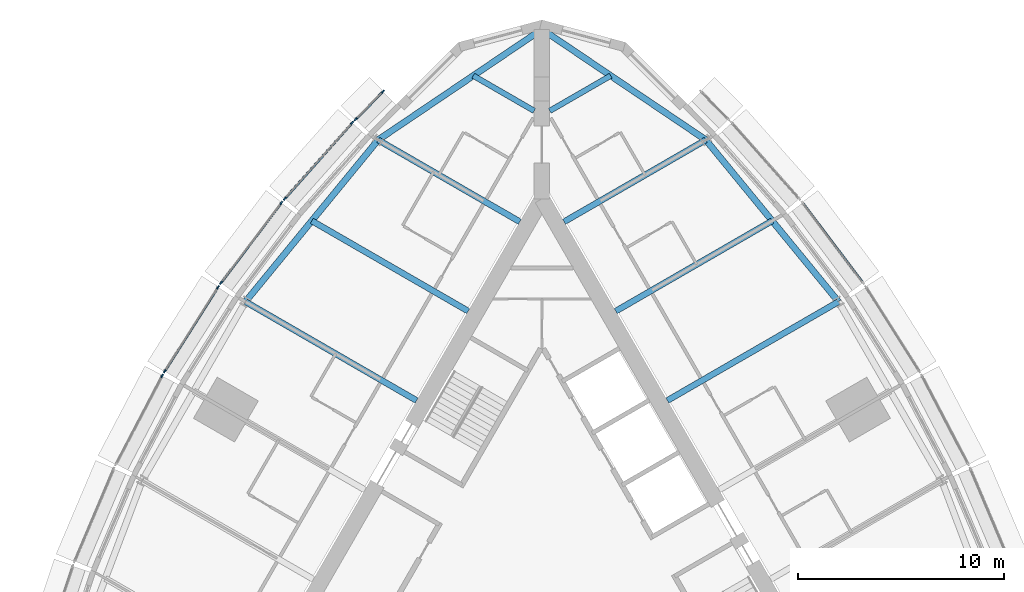
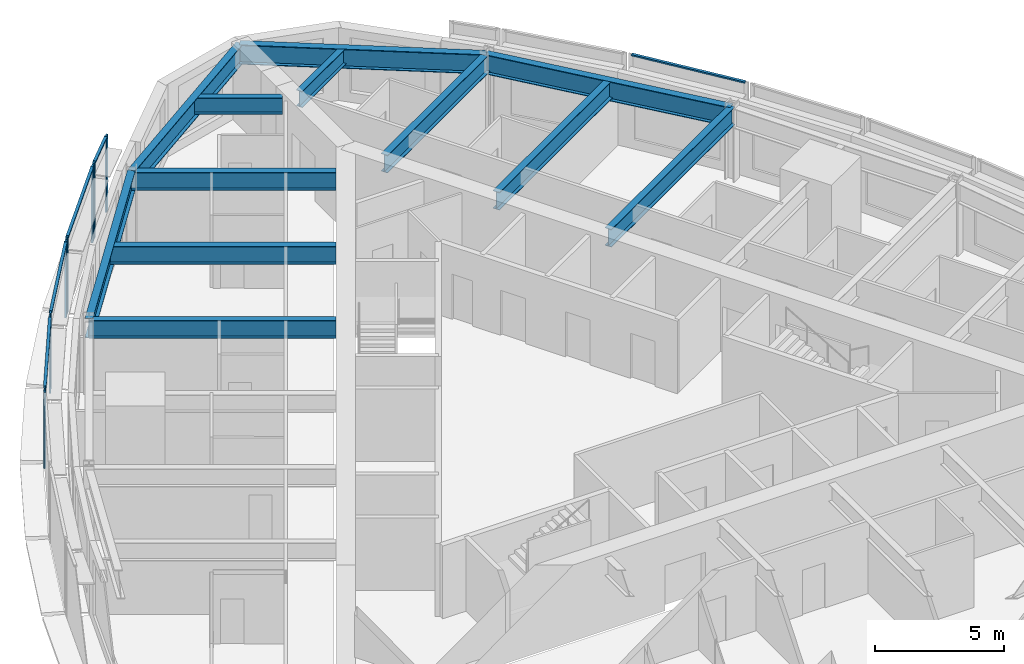
# One storey, part 5 of 15: 14 members, 12 beams, 6 elements without a shape of their own.
"""IFC4 building model written with IfcOpenShell, lengths in metres."""

import ifcopenshell
import ifcopenshell.guid

model = None  # the IFC model being written
_history = None  # IfcOwnerHistory: only IFC2X3 demands one
_inside = {}  # id of a spatial element -> (the spatial element, [elements in it])
_under = {}  # id of a project, library or spatial element -> (it, [spatial elements below it])
_declared = {}  # id of a project -> (the project, [libraries it declares])
_typed = {}  # id of a type object -> (the type object, [elements of that type])
_made_of = {}  # id of a material, layer set ... -> (it, [elements and type objects made of it])


def new_model(schema):
    """Start an empty IFC model of exactly this schema.

    Asked for "IFC4X3", IfcOpenShell would pick the latest addendum, in which some entities
    have other attributes; the version numbers below select the first issue.
    IFC2X3 requires an IfcOwnerHistory on every rooted entity: one is made here for all.
    """
    global model, _history
    if schema == "IFC4X3":
        model = ifcopenshell.file(schema_version=(4, 3, 0, 0))
    else:
        model = ifcopenshell.file(schema=schema)
    _inside.clear()
    _under.clear()
    _declared.clear()
    _typed.clear()
    _made_of.clear()
    _history = None
    if model.schema == "IFC2X3":
        org = make("IfcOrganization", Name="unknown")
        user = make(
            "IfcPersonAndOrganization",
            ThePerson=make("IfcPerson", FamilyName="unknown"),
            TheOrganization=org,
        )
        app = make(
            "IfcApplication",
            ApplicationDeveloper=org,
            Version="unknown",
            ApplicationFullName="unknown",
            ApplicationIdentifier="unknown",
        )
        _history = make(
            "IfcOwnerHistory",
            OwningUser=user,
            OwningApplication=app,
            ChangeAction="ADDED",
            CreationDate=0,
        )
    return model


def make(cls, **values):
    """One entity of the class cls with the attributes given. An attribute that is None is left unset."""
    return model.create_entity(
        cls, **{name: value for name, value in values.items() if value is not None}
    )


def rooted(cls, **values):
    """An entity with a GlobalId (a new one), such as an element, a storey or a relation."""
    return make(cls, GlobalId=ifcopenshell.guid.new(), OwnerHistory=_history, **values)


def si_unit(unit_type, name, prefix=None):
    """IfcSIUnit, for example si_unit("LENGTHUNIT", "METRE", prefix="MILLI")."""
    return make("IfcSIUnit", UnitType=unit_type, Prefix=prefix, Name=name)


def assignment(units):
    """IfcUnitAssignment: the units of a project."""
    return None if units is None else make("IfcUnitAssignment", Units=units)


def point(xyz):
    """IfcCartesianPoint."""
    return None if xyz is None else make("IfcCartesianPoint", Coordinates=xyz)


def direction(xyz):
    """IfcDirection."""
    return None if xyz is None else make("IfcDirection", DirectionRatios=xyz)


def frame(location, z_axis=None, x_axis=None):
    """IfcAxis2Placement3D, a coordinate frame: its origin and axes. An axis left out is left unset."""
    return make(
        "IfcAxis2Placement3D",
        Location=point(location),
        Axis=direction(z_axis),
        RefDirection=direction(x_axis),
    )


def frame_2d(location, x_axis=None):
    """IfcAxis2Placement2D, a coordinate frame in the plane: its origin and x axis."""
    return make(
        "IfcAxis2Placement2D", Location=point(location), RefDirection=direction(x_axis)
    )


def origin():
    """The frame at (0, 0, 0) with its axes left unset."""
    return frame((0.0, 0.0, 0.0))


def origin_2d():
    """The frame at (0, 0) in the plane with its x axis left unset."""
    return frame_2d((0.0, 0.0))


def place(relative_to, where):
    """IfcLocalPlacement: puts the frame where relative to a parent placement (None: the world)."""
    return make(
        "IfcLocalPlacement", PlacementRelTo=relative_to, RelativePlacement=where
    )


def context(
    kind, dimensions, precision=None, world=None, true_north=None, identifier=None
):
    """IfcGeometricRepresentationContext, for example the 3D "Model" context."""
    return make(
        "IfcGeometricRepresentationContext",
        ContextIdentifier=identifier,
        ContextType=kind,
        CoordinateSpaceDimension=dimensions,
        Precision=precision,
        WorldCoordinateSystem=world,
        TrueNorth=true_north,
    )


def subcontext(parent, identifier, kind, view, scale=None):
    """IfcGeometricRepresentationSubContext, for example "Body" below "Model"."""
    return make(
        "IfcGeometricRepresentationSubContext",
        ContextIdentifier=identifier,
        ContextType=kind,
        ParentContext=parent,
        TargetScale=scale,
        TargetView=view,
    )


def project(units=None, contexts=None):
    """IfcProject with its units and contexts."""
    return rooted(
        "IfcProject",
        Name="project",
        RepresentationContexts=contexts,
        UnitsInContext=assignment(units),
    )


def spatial(cls, under=None, at=None, **own):
    """A site, building, storey or space (cls), placed at a placement, below another one or the project."""
    s = rooted(cls, ObjectPlacement=at, **own)
    if under is not None:
        _under.setdefault(under.id(), (under, []))[1].append(s)
    return s


def profile(cls, at=None, kind="AREA", **sizes):
    """A parametric profile (cls). Its sizes go by their IFC names, for example OverallWidth=200.0."""
    return make(cls, ProfileType=kind, Position=at, **sizes)


def rectangle(**sizes):
    """IfcRectangleProfileDef."""
    return profile("IfcRectangleProfileDef", **sizes)


def i_section(**sizes):
    """IfcIShapeProfileDef."""
    return profile("IfcIShapeProfileDef", **sizes)


def extrude(swept, where, along, depth):
    """IfcExtrudedAreaSolid: the profile swept, set in the frame where, extruded along a direction by depth."""
    return make(
        "IfcExtrudedAreaSolid",
        SweptArea=swept,
        Position=where,
        ExtrudedDirection=direction(along),
        Depth=depth,
    )


def shape(context_of_items, identifier, shape_type, items):
    """IfcShapeRepresentation: the items that make up one representation, for example the "Body"."""
    return make(
        "IfcShapeRepresentation",
        ContextOfItems=context_of_items,
        RepresentationIdentifier=identifier,
        RepresentationType=shape_type,
        Items=items,
    )


def material(Name=None, Category=None):
    """IfcMaterial."""
    return make("IfcMaterial", Name=Name, Category=Category)


def material_profile(
    of_material, cross_section, Name=None, Category=None, Priority=None
):
    """IfcMaterialProfile: a cross section and its material."""
    return make(
        "IfcMaterialProfile",
        Name=Name,
        Material=of_material,
        Profile=cross_section,
        Priority=Priority,
        Category=Category,
    )


def profile_set(profiles, Name=None, composite=None):
    """IfcMaterialProfileSet."""
    return make(
        "IfcMaterialProfileSet",
        Name=Name,
        MaterialProfiles=profiles,
        CompositeProfile=composite,
    )


def made_of(thing, what):
    """Note that an element or type object is made of a material, layer set ...; save() writes the relation."""
    if what is not None:
        _made_of.setdefault(what.id(), (what, []))[1].append(thing)
    return thing


def type_object(cls, material=None, **own):
    """A type object (cls), such as IfcWallType, which elements share."""
    return made_of(rooted(cls, **own), material)


def element(
    cls,
    number,
    at=None,
    inside=None,
    cuts=None,
    type_object=None,
    material=None,
    context=None,
    identifier="Body",
    shape_type=None,
    held_by="IfcProductDefinitionShape",
    body=None,
    shapes=None,
    **own,
):
    """One element of the class cls, such as IfcWall. Its Tag is "e" and its number.

    at: its placement. inside: the storey or other place that contains it. cuts: it is an
    opening in that element (IfcRelVoidsElement). A single representation is given by context,
    identifier, shape_type and body (its items); several are given by shapes. held_by: the class
    of the entity that holds the representations. save() writes the other relations.
    """
    e = rooted(cls, Tag="e%d" % number, ObjectPlacement=at, **own)
    if body is not None:
        shapes = [shape(context, identifier, shape_type, body)]
    if shapes is not None:
        e.Representation = make(held_by, Representations=shapes)
    if inside is not None:
        _inside.setdefault(inside.id(), (inside, []))[1].append(e)
    if cuts is not None:
        rooted(
            "IfcRelVoidsElement", RelatingBuildingElement=cuts, RelatedOpeningElement=e
        )
    if type_object is not None:
        _typed.setdefault(type_object.id(), (type_object, []))[1].append(e)
    return made_of(e, material)


def aggregate(whole, parts):
    """IfcRelAggregates: a whole, such as a stair, and the parts it consists of."""
    return rooted("IfcRelAggregates", RelatingObject=whole, RelatedObjects=parts)


def save(model, path):
    """Write the relations noted so far, then the file.

    IfcRelAggregates (storeys below a building ...), IfcRelContainedInSpatialStructure (elements
    in a storey), IfcRelDefinesByType, IfcRelAssociatesMaterial and IfcRelDeclares: one each for
    every whole, place, type object, material and project.
    """
    for whole, parts in _under.values():
        aggregate(whole, parts)
    for where, things in _inside.values():
        rooted(
            "IfcRelContainedInSpatialStructure",
            RelatedElements=things,
            RelatingStructure=where,
        )
    for kind, things in _typed.values():
        rooted("IfcRelDefinesByType", RelatedObjects=things, RelatingType=kind)
    for what, things in _made_of.values():
        rooted("IfcRelAssociatesMaterial", RelatedObjects=things, RelatingMaterial=what)
    for by, libraries in _declared.values():
        rooted("IfcRelDeclares", RelatingContext=by, RelatedDefinitions=libraries)
    model.write(path)


model = new_model("IFC4")

# Units and contexts
model_context = context("Model", 3, precision=1e-05, world=origin(), true_north=direction((0.0, 1.0)))
body_context = subcontext(model_context, "Body", "Model", "MODEL_VIEW")
ifc_project = project(units=[si_unit("LENGTHUNIT", "METRE"), si_unit("AREAUNIT", "SQUARE_METRE"), si_unit("VOLUMEUNIT", "CUBIC_METRE"), si_unit("PLANEANGLEUNIT", "RADIAN"), si_unit("MASSUNIT", "GRAM", prefix="KILO")], contexts=[model_context])

# Site, building, storey
site_placement = place(None, origin())
site = spatial("IfcSite", under=ifc_project, at=site_placement, CompositionType="ELEMENT")
building_placement = place(site_placement, origin())
building = spatial("IfcBuilding", under=site, at=building_placement, Name="Trikona Tower", CompositionType="ELEMENT")
storey_placement = place(building_placement, frame((0.0, 0.0, 204.5)))
storey = spatial("IfcBuildingStorey", under=building, at=storey_placement, Name="L54", CompositionType="ELEMENT", Elevation=204.5)

# Curtain wall, members
ifc_material_1 = material(Name="Aluminium curtain wall system", Category="aluminium")
curtain_wall_type = type_object("IfcCurtainWallType", Name="Curtain wall DS3", PredefinedType="NOTDEFINED", material=ifc_material_1)
curtain_wall_1_placement = place(storey_placement, origin())
curtain_wall_1 = element("IfcCurtainWall", 1, at=curtain_wall_1_placement, inside=storey, type_object=curtain_wall_type, Name="Curtain wall DS3 L54", PredefinedType="NOTDEFINED")
ifc_material_2 = material(Name="Aluminium mullion, pale anodised", Category="aluminium")
ifc_material_profile_1 = material_profile(ifc_material_2, rectangle(XDim=0.070068359375, YDim=0.179931640625, at=origin_2d()), Name="MUL-DS3")
ifc_profile_set_1 = profile_set([ifc_material_profile_1], Name="Aluminium mullion, pale anodised")
member_type_1 = type_object("IfcMemberType", Name="Mullion DS3 70x180", PredefinedType="MULLION", material=ifc_profile_set_1)
member_1_placement = place(storey_placement, frame((-7.7060546875, 24.237548828125, 0.0), z_axis=(0.0, 0.0, 1.0), x_axis=(0.710051900554, -0.704149343903, 0.0)))
member_1 = element("IfcMember", 2, at=member_1_placement, type_object=member_type_1, Name="CW-DS3 mullion 1", PredefinedType="MULLION", context=body_context, shape_type="SweptSolid", body=[
    extrude(rectangle(XDim=0.070068359375, YDim=0.179931640625, at=origin_2d()), origin(), (0.0, 0.0, 1.0), 3.60009765625),
])
member_2_placement = place(storey_placement, frame((-9.028564453125, 22.904052734375, 0.0), z_axis=(0.0, 0.0, 1.0), x_axis=(0.710051900554, -0.704149343903, 0.0)))
member_2 = element("IfcMember", 3, at=member_2_placement, type_object=member_type_1, Name="CW-DS3 mullion 2", PredefinedType="MULLION", context=body_context, shape_type="SweptSolid", body=[
    extrude(rectangle(XDim=0.070068359375, YDim=0.179931640625, at=origin_2d()), origin(), (0.0, 0.0, 1.0), 3.60009765625),
])

curtain_wall_2_placement = place(storey_placement, origin())
curtain_wall_2 = element("IfcCurtainWall", 4, at=curtain_wall_2_placement, inside=storey, type_object=curtain_wall_type, Name="Curtain wall DS3 L54", PredefinedType="NOTDEFINED")
member_3_placement = place(storey_placement, frame((-9.192138671875, 22.729736328125, 0.0), z_axis=(0.0, 0.0, 1.0), x_axis=(0.747402677853, -0.664371309689, 0.0)))
member_3 = element("IfcMember", 5, at=member_3_placement, type_object=member_type_1, Name="CW-DS3 mullion 1", PredefinedType="MULLION", context=body_context, shape_type="SweptSolid", body=[
    extrude(rectangle(XDim=0.070068359375, YDim=0.179931640625, at=origin_2d()), origin(), (0.0, 0.0, 1.0), 3.60009765625),
])
member_4_placement = place(storey_placement, frame((-12.45751953125, 19.056396484375, 0.0), z_axis=(0.0, 0.0, 1.0), x_axis=(0.747402677853, -0.664371309689, 0.0)))
member_4 = element("IfcMember", 6, at=member_4_placement, type_object=member_type_1, Name="CW-DS3 mullion 2", PredefinedType="MULLION", context=body_context, shape_type="SweptSolid", body=[
    extrude(rectangle(XDim=0.070068359375, YDim=0.179931640625, at=origin_2d()), origin(), (0.0, 0.0, 1.0), 3.60009765625),
])

curtain_wall_3_placement = place(storey_placement, origin())
curtain_wall_3 = element("IfcCurtainWall", 7, at=curtain_wall_3_placement, inside=storey, type_object=curtain_wall_type, Name="Curtain wall DS3 L54", PredefinedType="NOTDEFINED")
member_5_placement = place(storey_placement, frame((-12.62353515625, 18.853759765625, 0.0), z_axis=(0.0, 0.0, 1.0), x_axis=(0.798193208724, -0.602401528506, 0.0)))
member_5 = element("IfcMember", 8, at=member_5_placement, type_object=member_type_1, Name="CW-DS3 mullion 1", PredefinedType="MULLION", context=body_context, shape_type="SweptSolid", body=[
    extrude(rectangle(XDim=0.070068359375, YDim=0.179931640625, at=origin_2d()), origin(), (0.0, 0.0, 1.0), 3.60009765625),
])
member_6_placement = place(storey_placement, frame((-15.5439453125, 14.984130859375, 0.0), z_axis=(0.0, 0.0, 1.0), x_axis=(0.798193208724, -0.602401528506, 0.0)))
member_6 = element("IfcMember", 9, at=member_6_placement, type_object=member_type_1, Name="CW-DS3 mullion 2", PredefinedType="MULLION", context=body_context, shape_type="SweptSolid", body=[
    extrude(rectangle(XDim=0.070068359375, YDim=0.179931640625, at=origin_2d()), origin(), (0.0, 0.0, 1.0), 3.60009765625),
])

curtain_wall_4_placement = place(storey_placement, origin())
curtain_wall_4 = element("IfcCurtainWall", 10, at=curtain_wall_4_placement, inside=storey, type_object=curtain_wall_type, Name="Curtain wall DS3 L54", PredefinedType="NOTDEFINED")
member_7_placement = place(storey_placement, frame((-15.69384765625, 14.767578125, 0.0), z_axis=(0.0, 0.0, 1.0), x_axis=(0.844727131858, -0.535197227854, 0.0)))
member_7 = element("IfcMember", 11, at=member_7_placement, type_object=member_type_1, Name="CW-DS3 mullion 1", PredefinedType="MULLION", context=body_context, shape_type="SweptSolid", body=[
    extrude(rectangle(XDim=0.070068359375, YDim=0.179931640625, at=origin_2d()), origin(), (0.0, 0.0, 1.0), 3.60009765625),
])
member_8_placement = place(storey_placement, frame((-18.2705078125, 10.700927734375, 0.0), z_axis=(0.0, 0.0, 1.0), x_axis=(0.844727131858, -0.535197227854, 0.0)))
member_8 = element("IfcMember", 12, at=member_8_placement, type_object=member_type_1, Name="CW-DS3 mullion 2", PredefinedType="MULLION", context=body_context, shape_type="SweptSolid", body=[
    extrude(rectangle(XDim=0.070068359375, YDim=0.179931640625, at=origin_2d()), origin(), (0.0, 0.0, 1.0), 3.60009765625),
])

# Curtain wall, member
curtain_wall_5_placement = place(storey_placement, origin())
curtain_wall_5 = element("IfcCurtainWall", 13, at=curtain_wall_5_placement, inside=storey, type_object=curtain_wall_type, Name="Curtain wall DS3 L54", PredefinedType="NOTDEFINED")
member_9_placement = place(storey_placement, frame((-18.40234375, 10.472412109375, 0.0), z_axis=(0.0, 0.0, 1.0), x_axis=(0.885862390527, -0.463948084434, 0.0)))
member_9 = element("IfcMember", 14, at=member_9_placement, type_object=member_type_1, Name="CW-DS3 mullion 1", PredefinedType="MULLION", context=body_context, shape_type="SweptSolid", body=[
    extrude(rectangle(XDim=0.070068359375, YDim=0.179931640625, at=origin_2d()), origin(), (0.0, 0.0, 1.0), 3.60009765625),
])
aggregate(curtain_wall_5, [member_9])

# Beams
ifc_material_3 = material(Name="Steel ASTM A992 Grade 50", Category="steel")
ifc_material_profile_2 = material_profile(ifc_material_3, i_section(OverallWidth=0.2666015625, OverallDepth=0.76953125, WebThickness=0.015625, FlangeThickness=0.025390625, at=origin_2d()), Name="W30X132")
ifc_profile_set_2 = profile_set([ifc_material_profile_2], Name="Steel ASTM A992 Grade 50")
beam_type_1 = type_object("IfcBeamType", Name="Steel beam W30x132 (wedge)", PredefinedType="BEAM", material=ifc_profile_set_2)
for number, where, z_axis, x_axis, name in (
    (15, (0.375, 23.310546875, 3.05029296875), (0.866027000698, 0.499997234054, 0.0), (-0.499997234054, 0.866027000698, 0.0), "Floor beam L55 F2 u20"),
    (16, (-0.375, 23.310546875, 3.05029296875), (-0.866027000698, 0.499997234054, 0.0), (-0.499997234054, -0.866027000698, 0.0), "Floor beam L55 F3 u-20"),
):
    element("IfcBeam", number, at=place(storey_placement, frame(where, z_axis=z_axis, x_axis=x_axis)), inside=storey, type_object=beam_type_1, Name=name, PredefinedType="BEAM", context=body_context, shape_type="SweptSolid", body=[
        extrude(i_section(OverallWidth=0.2666015625, OverallDepth=0.76953125, WebThickness=0.015625, FlangeThickness=0.025390625, at=origin_2d()), origin(), (0.0, 0.0, 1.0), 3.40966796875),
    ])
ifc_material_4 = material(Name="Steel ASTM A992 Grade 50", Category="steel")
ifc_material_profile_3 = material_profile(ifc_material_4, i_section(OverallWidth=0.2919921875, OverallDepth=0.845703125, WebThickness=0.015380859375, FlangeThickness=0.0244140625, at=origin_2d()), Name="W33X141")
ifc_profile_set_3 = profile_set([ifc_material_profile_3], Name="Steel ASTM A992 Grade 50")
beam_type_2 = type_object("IfcBeamType", Name="Steel beam W33x141 (radial typ)", PredefinedType="BEAM", material=ifc_profile_set_3)
beam_1_placement = place(storey_placement, frame((6.07470703125, 9.28076171875, 3.01220703125), z_axis=(0.866025863714, 0.499999203377, 0.0), x_axis=(-0.499999203377, 0.866025863714, 0.0)))
element("IfcBeam", 17, at=beam_1_placement, inside=storey, type_object=beam_type_2, Name="Floor beam L55 F2 u5", PredefinedType="BEAM", context=body_context, shape_type="SweptSolid", body=[
    extrude(i_section(OverallWidth=0.2919921875, OverallDepth=0.845703125, WebThickness=0.015380859375, FlangeThickness=0.0244140625, at=origin_2d()), origin(), (0.0, 0.0, 1.0), 9.57080078125),
])
beam_2_placement = place(storey_placement, frame((3.57470703125, 13.61083984375, 3.01220703125), z_axis=(0.866013609749, 0.500020427312, 0.0), x_axis=(-0.500020427312, 0.866013609749, 0.0)))
element("IfcBeam", 18, at=beam_2_placement, inside=storey, type_object=beam_type_2, Name="Floor beam L55 F2 u10", PredefinedType="BEAM", context=body_context, shape_type="SweptSolid", body=[
    extrude(i_section(OverallWidth=0.2919921875, OverallDepth=0.845703125, WebThickness=0.015380859375, FlangeThickness=0.0244140625, at=origin_2d()), origin(), (0.0, 0.0, 1.0), 8.747314453125),
])
for number, where, z_axis, x_axis, name in (
    (19, (1.07470703125, 17.94091796875, 3.01220703125), (0.866019853763, 0.500009612796, 0.0), (-0.500009612796, 0.866019853763, 0.0), "Floor beam L55 F2 u15"),
    (20, (-1.07470703125, 17.94091796875, 3.01220703125), (-0.866019853763, 0.500009612796, 0.0), (-0.500009612796, -0.866019853763, 0.0), "Floor beam L55 F3 u-15"),
):
    element("IfcBeam", number, at=place(storey_placement, frame(where, z_axis=z_axis, x_axis=x_axis)), inside=storey, type_object=beam_type_2, Name=name, PredefinedType="BEAM", context=body_context, shape_type="SweptSolid", body=[
        extrude(i_section(OverallWidth=0.2919921875, OverallDepth=0.845703125, WebThickness=0.015380859375, FlangeThickness=0.0244140625, at=origin_2d()), origin(), (0.0, 0.0, 1.0), 7.923583984375),
    ])
beam_3_placement = place(storey_placement, frame((-3.57470703125, 13.61083984375, 3.01220703125), z_axis=(-0.866013609749, 0.500020427312, 0.0), x_axis=(-0.500020427312, -0.866013609749, 0.0)))
element("IfcBeam", 21, at=beam_3_placement, inside=storey, type_object=beam_type_2, Name="Floor beam L55 F3 u-10", PredefinedType="BEAM", context=body_context, shape_type="SweptSolid", body=[
    extrude(i_section(OverallWidth=0.2919921875, OverallDepth=0.845703125, WebThickness=0.015380859375, FlangeThickness=0.0244140625, at=origin_2d()), origin(), (0.0, 0.0, 1.0), 8.747314453125),
])
beam_4_placement = place(storey_placement, frame((-6.07470703125, 9.28076171875, 3.01220703125), z_axis=(-0.866025863714, 0.499999203377, 0.0), x_axis=(-0.499999203377, -0.866025863714, 0.0)))
element("IfcBeam", 22, at=beam_4_placement, inside=storey, type_object=beam_type_2, Name="Floor beam L55 F3 u-5", PredefinedType="BEAM", context=body_context, shape_type="SweptSolid", body=[
    extrude(i_section(OverallWidth=0.2919921875, OverallDepth=0.845703125, WebThickness=0.015380859375, FlangeThickness=0.0244140625, at=origin_2d()), origin(), (0.0, 0.0, 1.0), 9.57080078125),
])
ifc_material_5 = material(Name="Steel ASTM A992 Grade 50", Category="steel")
ifc_material_profile_4 = material_profile(ifc_material_5, i_section(OverallWidth=0.307373046875, OverallDepth=0.922119140625, WebThickness=0.018310546875, FlangeThickness=0.030029296875, at=origin_2d()), Name="W36X182")
ifc_profile_set_4 = profile_set([ifc_material_profile_4], Name="Steel ASTM A992 Grade 50")
beam_type_3 = type_object("IfcBeamType", Name="Steel beam W36x182 (spandrel mid)", PredefinedType="SPANDREL", material=ifc_profile_set_4)
beam_5_placement = place(storey_placement, frame((14.36328125, 14.066162109375, 2.97412109375), z_axis=(-0.634105803308, 0.77324629337, 0.0), x_axis=(-0.77324629337, -0.634105803308, 0.0)))
element("IfcBeam", 23, at=beam_5_placement, inside=storey, type_object=beam_type_3, Name="Spandrel beam L55 F2-4", PredefinedType="SPANDREL", context=body_context, shape_type="SweptSolid", body=[
    extrude(i_section(OverallWidth=0.307373046875, OverallDepth=0.922119140625, WebThickness=0.018310546875, FlangeThickness=0.030029296875, at=origin_2d()), origin(), (0.0, 0.0, 1.0), 10.134765625),
])
for number, where, z_axis, x_axis, name in (
    (24, (7.936767578125, 21.90283203125, 2.97412109375), (-0.828725418029, 0.55965541319, 0.0), (-0.55965541319, -0.828725418029, 0.0), "Spandrel beam L55 F2-5"),
    (25, (0.0, 27.2626953125, 2.97412109375), (-0.828725418029, -0.55965541319, 0.0), (0.55965541319, -0.828725418029, 0.0), "Spandrel beam L55 F3-1"),
):
    element("IfcBeam", number, at=place(storey_placement, frame(where, z_axis=z_axis, x_axis=x_axis)), inside=storey, type_object=beam_type_3, Name=name, PredefinedType="SPANDREL", context=body_context, shape_type="SweptSolid", body=[
        extrude(i_section(OverallWidth=0.307373046875, OverallDepth=0.922119140625, WebThickness=0.018310546875, FlangeThickness=0.030029296875, at=origin_2d()), origin(), (0.0, 0.0, 1.0), 9.5771484375),
    ])
beam_6_placement = place(storey_placement, frame((-7.936767578125, 21.90283203125, 2.97412109375), z_axis=(-0.634105803308, -0.77324629337, 0.0), x_axis=(0.77324629337, -0.634105803308, 0.0)))
element("IfcBeam", 26, at=beam_6_placement, inside=storey, type_object=beam_type_3, Name="Spandrel beam L55 F3-2", PredefinedType="SPANDREL", context=body_context, shape_type="SweptSolid", body=[
    extrude(i_section(OverallWidth=0.307373046875, OverallDepth=0.922119140625, WebThickness=0.018310546875, FlangeThickness=0.030029296875, at=origin_2d()), origin(), (0.0, 0.0, 1.0), 10.134765625),
])

# Curtain wall, member
curtain_wall_6_placement = place(storey_placement, origin())
curtain_wall_6 = element("IfcCurtainWall", 27, at=curtain_wall_6_placement, inside=storey, type_object=curtain_wall_type, Name="Curtain wall DS3 L54", PredefinedType="NOTDEFINED")
ifc_material_6 = material(Name="Aluminium transom, pale anodised", Category="aluminium")
ifc_material_profile_5 = material_profile(ifc_material_6, rectangle(XDim=0.1201171875, YDim=0.070068359375, at=origin_2d()), Name="TRN-DS3")
ifc_profile_set_5 = profile_set([ifc_material_profile_5], Name="Aluminium transom, pale anodised")
member_type_2 = type_object("IfcMemberType", Name="Transom DS3 70x120", PredefinedType="USERDEFINED", material=ifc_profile_set_5)
member_10_placement = place(storey_placement, frame((15.52294921875, 15.011962890625, 3.56494140625), z_axis=(-0.602400763927, 0.798193785756, 0.0), x_axis=(-0.798193785756, -0.602400763927, 0.0)))
member_10 = element("IfcMember", 28, at=member_10_placement, type_object=member_type_2, Name="CW-DS3 transom 1.1", ObjectType="TRANSOM", PredefinedType="USERDEFINED", context=body_context, shape_type="SweptSolid", body=[
    extrude(rectangle(XDim=0.1201171875, YDim=0.070068359375, at=origin_2d()), origin(), (0.0, 0.0, 1.0), 4.7783203125),
])
aggregate(curtain_wall_6, [member_10])

# Member
member_11_placement = place(storey_placement, frame((-7.73046875, 24.212890625, 3.56494140625), z_axis=(-0.704130668076, -0.710070420645, 0.0), x_axis=(0.710070420645, -0.704130668076, 0.0)))
member_11 = element("IfcMember", 29, at=member_11_placement, type_object=member_type_2, Name="CW-DS3 transom 1.1", ObjectType="TRANSOM", PredefinedType="USERDEFINED", context=body_context, shape_type="SweptSolid", body=[
    extrude(rectangle(XDim=0.1201171875, YDim=0.070068359375, at=origin_2d()), origin(), (0.0, 0.0, 1.0), 1.80859375),
])

aggregate(curtain_wall_1, [member_1, member_2, member_11])

member_12_placement = place(storey_placement, frame((-9.21533203125, 22.70361328125, 3.56494140625), z_axis=(-0.66436383883, -0.747409318684, 0.0), x_axis=(0.747409318684, -0.66436383883, 0.0)))
member_12 = element("IfcMember", 30, at=member_12_placement, type_object=member_type_2, Name="CW-DS3 transom 1.1", ObjectType="TRANSOM", PredefinedType="USERDEFINED", context=body_context, shape_type="SweptSolid", body=[
    extrude(rectangle(XDim=0.1201171875, YDim=0.070068359375, at=origin_2d()), origin(), (0.0, 0.0, 1.0), 4.844970703125),
])

aggregate(curtain_wall_2, [member_3, member_4, member_12])

member_13_placement = place(storey_placement, frame((-12.64453125, 18.825927734375, 3.56494140625), z_axis=(-0.602400763927, -0.798193785756, 0.0), x_axis=(0.798193785756, -0.602400763927, 0.0)))
member_13 = element("IfcMember", 31, at=member_13_placement, type_object=member_type_2, Name="CW-DS3 transom 1.1", ObjectType="TRANSOM", PredefinedType="USERDEFINED", context=body_context, shape_type="SweptSolid", body=[
    extrude(rectangle(XDim=0.1201171875, YDim=0.070068359375, at=origin_2d()), origin(), (0.0, 0.0, 1.0), 4.7783203125),
])

aggregate(curtain_wall_3, [member_5, member_6, member_13])

member_14_placement = place(storey_placement, frame((-15.712646484375, 14.738037109375, 3.56494140625), z_axis=(-0.535192866729, -0.844729894938, 0.0), x_axis=(0.844729894938, -0.535192866729, 0.0)))
member_14 = element("IfcMember", 32, at=member_14_placement, type_object=member_type_2, Name="CW-DS3 transom 1.1", ObjectType="TRANSOM", PredefinedType="USERDEFINED", context=body_context, shape_type="SweptSolid", body=[
    extrude(rectangle(XDim=0.1201171875, YDim=0.070068359375, at=origin_2d()), origin(), (0.0, 0.0, 1.0), 4.744140625),
])

aggregate(curtain_wall_4, [member_7, member_8, member_14])

save(model, "model.ifc")
